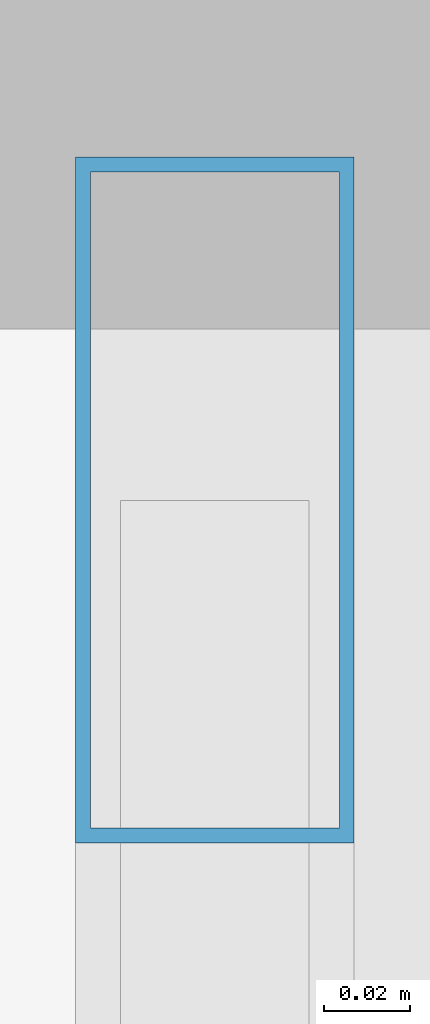
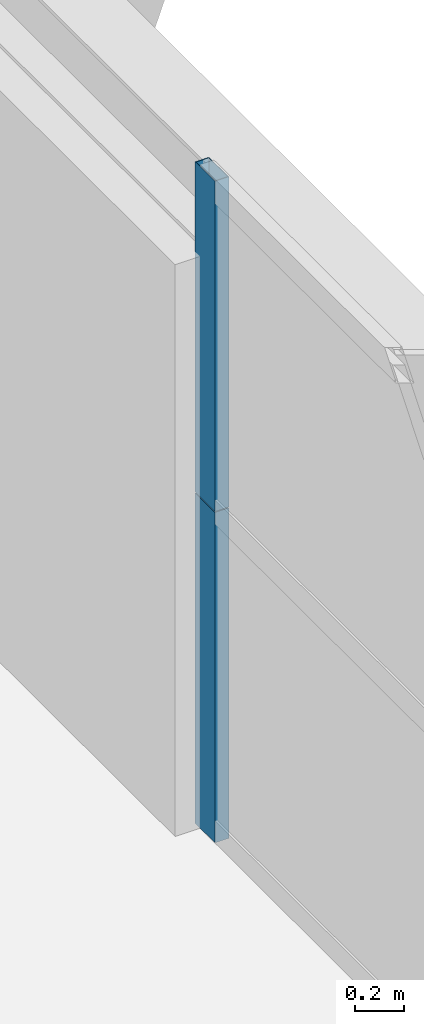
# One storey, part 33 of 42: 2 members, 1 element without a shape of its own.
"""IFC4 building model written with IfcOpenShell, lengths in metres."""

from ifc_helpers import new_model, si_unit, direction, frame, origin, origin_2d, place, context, subcontext, project, spatial, hollow_rectangle, extrude, source, transform, mapped, material, layer, layer_set, material_profile, profile_set, type_object, element, aggregate, save


model = new_model("IFC4")

# Units and contexts
model_context = context("Model", 3, precision=1e-05, world=origin(), true_north=direction((0.0, 1.0)))
body_context = subcontext(model_context, "Body", "Model", "MODEL_VIEW")
ifc_project = project(units=[si_unit("LENGTHUNIT", "METRE"), si_unit("AREAUNIT", "SQUARE_METRE"), si_unit("VOLUMEUNIT", "CUBIC_METRE"), si_unit("PLANEANGLEUNIT", "RADIAN"), si_unit("MASSUNIT", "GRAM", prefix="KILO"), si_unit("THERMODYNAMICTEMPERATUREUNIT", "KELVIN"), si_unit("POWERUNIT", "WATT")], contexts=[model_context])

# Site, building, storey
site_placement = place(None, origin())
site = spatial("IfcSite", under=ifc_project, at=site_placement, CompositionType="ELEMENT")
building_placement = place(site_placement, origin())
building = spatial("IfcBuilding", under=site, at=building_placement, Name="Yuzanri Waterfront Tower", CompositionType="ELEMENT")
storey_placement = place(building_placement, frame((0.0, 0.0, 205.5)))
storey = spatial("IfcBuildingStorey", under=building, at=storey_placement, Name="L54", CompositionType="ELEMENT", Elevation=205.5)

# Curtain wall, members
ifc_material_1 = material(Name="Anodized Architectural Bronze", Category="metal")
ifc_layer = layer(ifc_material_1, 0.159912109375)
ifc_layer_set = layer_set([ifc_layer], Name="Anodized Architectural Bronze")
curtain_wall_type = type_object("IfcCurtainWallType", Name="Anodized Bronze Mid-Rise Residential Acoustic Unitized Curtain Wall 7200", PredefinedType="NOTDEFINED", material=ifc_layer_set)
curtain_wall_placement = place(storey_placement, origin())
curtain_wall = element("IfcCurtainWall", 1, at=curtain_wall_placement, inside=storey, type_object=curtain_wall_type, Name="L54 Curtain Wall CW-L54-ER", PredefinedType="NOTDEFINED")
ifc_material_2 = material(Name="Anodized Architectural Bronze", Category="metal")
ifc_material_profile = material_profile(ifc_material_2, hollow_rectangle(XDim=0.06494140625, YDim=0.159912109375, WallThickness=0.00341796875, at=origin_2d()), Name="CWM 65x160")
ifc_profile_set = profile_set([ifc_material_profile], Name="Anodized Architectural Bronze")
member_type = type_object("IfcMemberType", Name="Anodized Bronze Upper-Zone Curtain-Wall Mullion 65x160", PredefinedType="MULLION", material=ifc_profile_set)
shared_shape = source(origin(), body_context, "Body", "SweptSolid", [
    extrude(hollow_rectangle(XDim=0.06494140625, YDim=0.159912109375, WallThickness=0.00341796875, at=origin_2d()), origin(), (0.0, 0.0, 1.0), 1.637939453125),
])
member_1_placement = place(storey_placement, frame((58.949951171875, 40.510009765625, 0.0), z_axis=(0.0, 0.0, 1.0), x_axis=(1.0, 0.0, 0.0)))
member_1 = element("IfcMember", 2, at=member_1_placement, type_object=member_type, Name="CW-L54-ER Lower Mullion 02", PredefinedType="MULLION", context=body_context, shape_type="MappedRepresentation", body=[
    mapped(shared_shape, transform((0.0, 0.0, 0.0), scale=1.0)),
])
member_2_placement = place(storey_placement, frame((58.949951171875, 40.510009765625, 1.64208984375), z_axis=(0.0, 0.0, 1.0), x_axis=(1.0, 0.0, 0.0)))
member_2 = element("IfcMember", 3, at=member_2_placement, type_object=member_type, Name="CW-L54-ER Upper Mullion 02", PredefinedType="MULLION", context=body_context, shape_type="MappedRepresentation", body=[
    mapped(shared_shape, transform((0.0, 0.0, 0.0), scale=1.0)),
])
aggregate(curtain_wall, [member_1, member_2])

save(model, "model.ifc")
